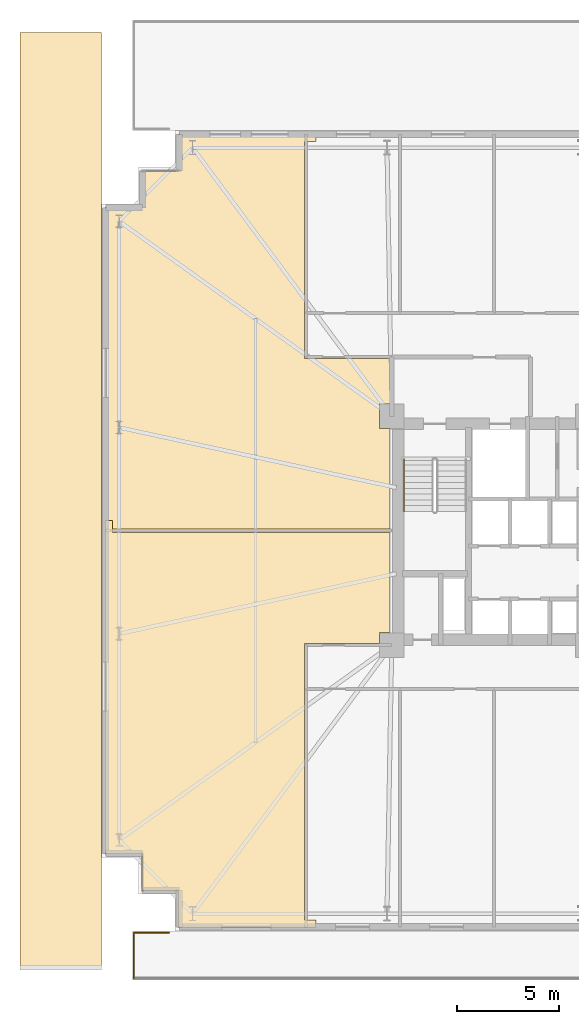
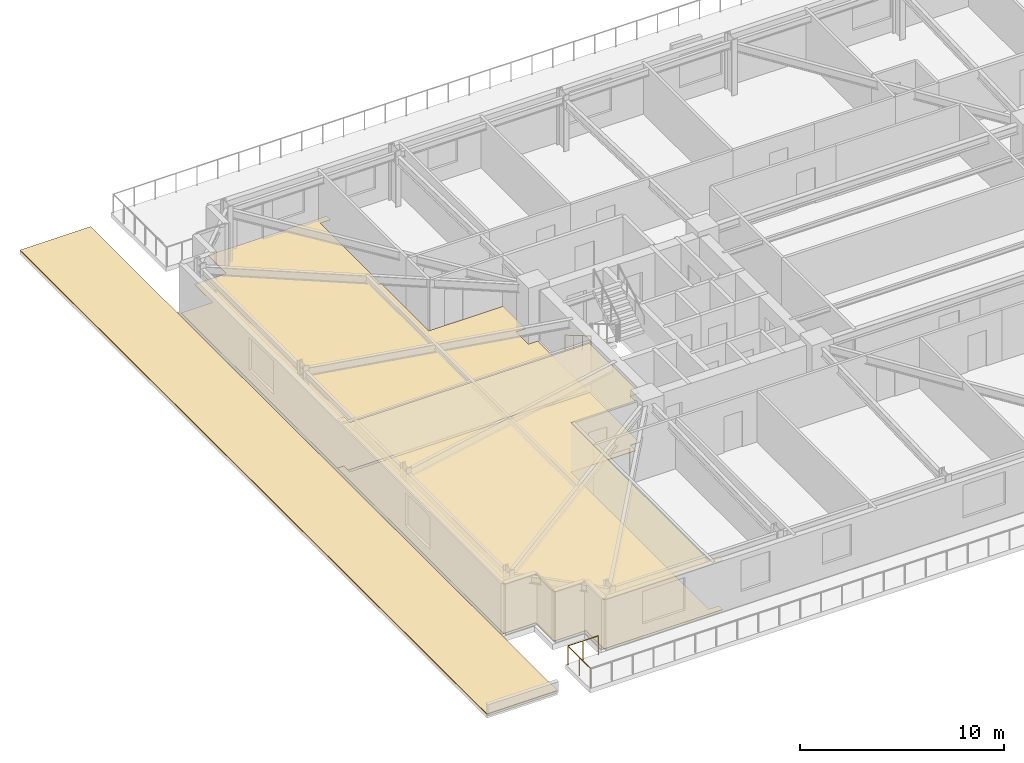
# One storey, part 17 of 21: 4 coverings, 2 railings.
"""IFC4 building model written with IfcOpenShell, lengths in metres."""

from ifc_helpers import new_model, si_unit, direction, frame, origin, origin_2d, place, context, subcontext, project, spatial, polyline, circle, outline, extrude, material, layer, layer_set, type_object, element, save


model = new_model("IFC4")

# Units and contexts
model_context = context("Model", 3, precision=1e-05, world=origin(), true_north=direction((0.0, 1.0)))
body_context = subcontext(model_context, "Body", "Model", "MODEL_VIEW")
ifc_project = project(units=[si_unit("LENGTHUNIT", "METRE"), si_unit("AREAUNIT", "SQUARE_METRE"), si_unit("VOLUMEUNIT", "CUBIC_METRE"), si_unit("PLANEANGLEUNIT", "RADIAN"), si_unit("MASSUNIT", "GRAM", prefix="KILO")], contexts=[model_context])

# Site, building, storey
site_placement = place(None, origin())
site = spatial("IfcSite", under=ifc_project, at=site_placement, CompositionType="ELEMENT")
building_placement = place(site_placement, origin())
building = spatial("IfcBuilding", under=site, at=building_placement, Name="Qobustan Lattice House", CompositionType="ELEMENT")
storey_placement = place(building_placement, frame((0.0, 0.0, 27.0)))
storey = spatial("IfcBuildingStorey", under=building, at=storey_placement, Name="L06", CompositionType="ELEMENT", Elevation=27.0)

# Coverings
ifc_material_1 = material(Name="Perforated gypsum acoustic ceiling", Category="gypsum")
ifc_layer_1 = layer(ifc_material_1, 0.030029296875)
ifc_layer_set_1 = layer_set([ifc_layer_1], Name="Perforated gypsum acoustic ceiling")
covering_type_1 = type_object("IfcCoveringType", Name="COV-ACOUSTIC-CEIL", PredefinedType="CEILING", material=ifc_layer_set_1)
covering_1_placement = place(storey_placement, frame((0.0, 0.0, 2.945068359375)))
element("IfcCovering", 1, at=covering_1_placement, inside=storey, type_object=covering_type_1, Name="L06 Chahar-bagh south lounge acoustic ceiling", PredefinedType="CEILING", context=body_context, shape_type="SweptSolid", body=[
    extrude(outline(polyline([(-31.030029296875, -17.6298828125), (-29.22998046875, -17.6298828125), (-29.22998046875, -19.429931640625), (-22.5, -19.429931640625), (-22.5, -19.06005859375), (-23.080078125, -19.06005859375), (-23.080078125, -5.52001953125), (-19.402099609375, -5.52001953125), (-19.402099609375, -4.998046875), (-18.8798828125, -4.998046875), (-18.8798828125, -0.080078125), (-32.4599609375, -0.080078125), (-32.4599609375, 0.5), (-32.830078125, 0.5), (-32.830078125, -15.830078125), (-31.030029296875, -15.830078125), (-31.030029296875, -17.6298828125)])), origin(), (0.0, 0.0, 1.0), 0.030029296875),
])
ifc_material_2 = material(Name="Insulated stone-ballasted roof membrane", Category="masonry")
ifc_layer_2 = layer(ifc_material_2, 0.050048828125)
ifc_layer_set_2 = layer_set([ifc_layer_2], Name="Insulated stone-ballasted roof membrane")
covering_type_2 = type_object("IfcCoveringType", Name="COV-ROOF-MEMB", PredefinedType="ROOFING", material=ifc_layer_set_2)
covering_2_placement = place(storey_placement, origin())
element("IfcCovering", 2, at=covering_2_placement, inside=storey, type_object=covering_type_2, Name="L06 setback roof membrane 1", PredefinedType="ROOFING", context=body_context, shape_type="SweptSolid", body=[
    extrude(outline(polyline([(-37.0, -21.39990234375), (-33.0, -21.39990234375), (-33.0, 24.39990234375), (-37.0, 24.39990234375), (-37.0, -21.39990234375)])), origin(), (0.0, 0.0, 1.0), 0.050048828125),
])
ifc_material_3 = material(Name="Honed Absheron stone terrazzo flooring", Category="masonry")
ifc_layer_3 = layer(ifc_material_3, 0.02490234375)
ifc_layer_set_3 = layer_set([ifc_layer_3], Name="Honed Absheron stone terrazzo flooring")
covering_type_3 = type_object("IfcCoveringType", Name="COV-TERRAZZO-FLR", PredefinedType="FLOORING", material=ifc_layer_set_3)
covering_3_placement = place(storey_placement, origin())
element("IfcCovering", 3, at=covering_3_placement, inside=storey, type_object=covering_type_3, Name="L06 Chahar-bagh south lounge stone terrazzo flooring", PredefinedType="FLOORING", context=body_context, shape_type="SweptSolid", body=[
    extrude(outline(polyline([(-31.030029296875, -17.6298828125), (-29.22998046875, -17.6298828125), (-29.22998046875, -19.429931640625), (-22.5, -19.429931640625), (-22.5, -19.06005859375), (-23.080078125, -19.06005859375), (-23.080078125, -5.52001953125), (-19.402099609375, -5.52001953125), (-19.402099609375, -4.998046875), (-18.8798828125, -4.998046875), (-18.8798828125, -0.080078125), (-32.4599609375, -0.080078125), (-32.4599609375, 0.5), (-32.830078125, 0.5), (-32.830078125, -15.830078125), (-31.030029296875, -15.830078125), (-31.030029296875, -17.6298828125)])), origin(), (0.0, 0.0, 1.0), 0.02490234375),
])
covering_4_placement = place(storey_placement, origin())
element("IfcCovering", 4, at=covering_4_placement, inside=storey, type_object=covering_type_3, Name="L06 Chahar-bagh north lounge stone terrazzo flooring", PredefinedType="FLOORING", context=body_context, shape_type="SweptSolid", body=[
    extrude(outline(polyline([(-31.030029296875, 17.6298828125), (-31.030029296875, 15.830078125), (-32.830078125, 15.830078125), (-32.830078125, -0.5), (-32.4599609375, -0.5), (-32.4599609375, 0.080078125), (-18.8798828125, 0.080078125), (-18.8798828125, 4.998046875), (-19.402099609375, 4.998046875), (-19.402099609375, 6.201904296875), (-18.8798828125, 6.201904296875), (-18.8798828125, 8.419921875), (-23.080078125, 8.419921875), (-23.080078125, 19.06005859375), (-22.5, 19.06005859375), (-22.5, 19.429931640625), (-29.22998046875, 19.429931640625), (-29.22998046875, 17.6298828125), (-31.030029296875, 17.6298828125)])), origin(), (0.0, 0.0, 1.0), 0.02490234375),
])

# Railings
ifc_material_4 = material(Name="Brushed stainless steel handrail", Category="steel")
railing_type_1 = type_object("IfcRailingType", Name="RAL-HR-920", PredefinedType="HANDRAIL", material=ifc_material_4)
railing_1_placement = place(storey_placement, frame((-18.199951171875, 3.5, 0.16748046875)))
element("IfcRailing", 5, at=railing_1_placement, inside=storey, type_object=railing_type_1, Name="L06 ST-W1 stair handrail 1", PredefinedType="HANDRAIL", context=body_context, shape_type="SweptSolid", body=[
    extrude(circle(Radius=0.02392578125, at=origin_2d()), frame((0.0, 0.0, 0.8759765625), z_axis=(0.0, -0.862113467892, 0.50671527358), x_axis=(1.0, 0.0, 0.0)), (0.0, 0.0, 1.0), 2.97509765625),
    extrude(circle(Radius=0.02099609375, at=origin_2d()), origin(), (0.0, 0.0, 1.0), 0.851806640625),
    extrude(circle(Radius=0.02099609375, at=origin_2d()), frame((0.0, -0.85498046875, 0.50244140625)), (0.0, 0.0, 1.0), 0.851806640625),
    extrude(circle(Radius=0.02099609375, at=origin_2d()), frame((0.0, -1.7099609375, 1.005126953125)), (0.0, 0.0, 1.0), 0.851806640625),
    extrude(circle(Radius=0.02099609375, at=origin_2d()), frame((0.0, -2.56494140625, 1.507568359375)), (0.0, 0.0, 1.0), 0.851806640625),
])
ifc_material_5 = material(Name="Anodised bronze and laminated glass balustrade", Category="glass")
railing_type_2 = type_object("IfcRailingType", Name="RAL-TERR-1150", PredefinedType="BALUSTRADE", material=ifc_material_5)
railing_2_placement = place(storey_placement, frame((-31.419921875, -21.919921875, 0.0)))
element("IfcRailing", 6, at=railing_2_placement, inside=storey, type_object=railing_type_2, Name="L06 outdoor terrace balustrade 1", PredefinedType="BALUSTRADE", context=body_context, shape_type="SweptSolid", body=[
    extrude(circle(Radius=0.02392578125, at=origin_2d()), frame((0.0, 0.0, 1.1259765625), z_axis=(0.0, 1.0, 0.0), x_axis=(-1.0, 0.0, 0.0)), (0.0, 0.0, 1.0), 2.239990234375),
    extrude(circle(Radius=0.02392578125, at=origin_2d()), frame((0.0, 2.239990234375, 1.1259765625), z_axis=(1.0, 0.0, 0.0), x_axis=(0.0, 1.0, 0.0)), (0.0, 0.0, 1.0), 1.719970703125),
    extrude(circle(Radius=0.02099609375, at=origin_2d()), origin(), (0.0, 0.0, 1.0), 1.101806640625),
    extrude(circle(Radius=0.02099609375, at=origin_2d()), frame((0.0, 1.1201171875, 0.0)), (0.0, 0.0, 1.0), 1.101806640625),
    extrude(circle(Radius=0.02099609375, at=origin_2d()), frame((0.0, 2.239990234375, 0.0)), (0.0, 0.0, 1.0), 1.101806640625),
    extrude(circle(Radius=0.02099609375, at=origin_2d()), frame((0.85986328125, 2.239990234375, 0.0)), (0.0, 0.0, 1.0), 1.101806640625),
    extrude(circle(Radius=0.02099609375, at=origin_2d()), frame((1.719970703125, 2.239990234375, 0.0)), (0.0, 0.0, 1.0), 1.101806640625),
])

save(model, "model.ifc")
